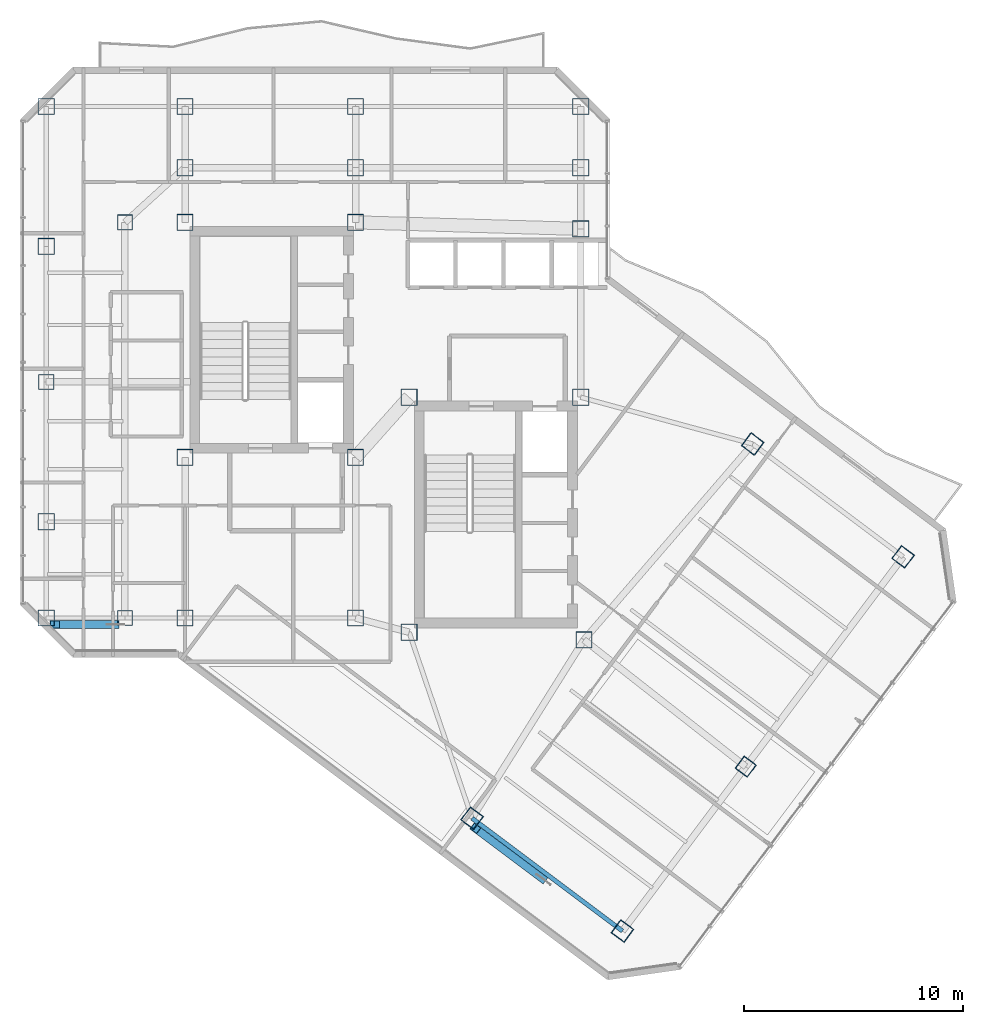
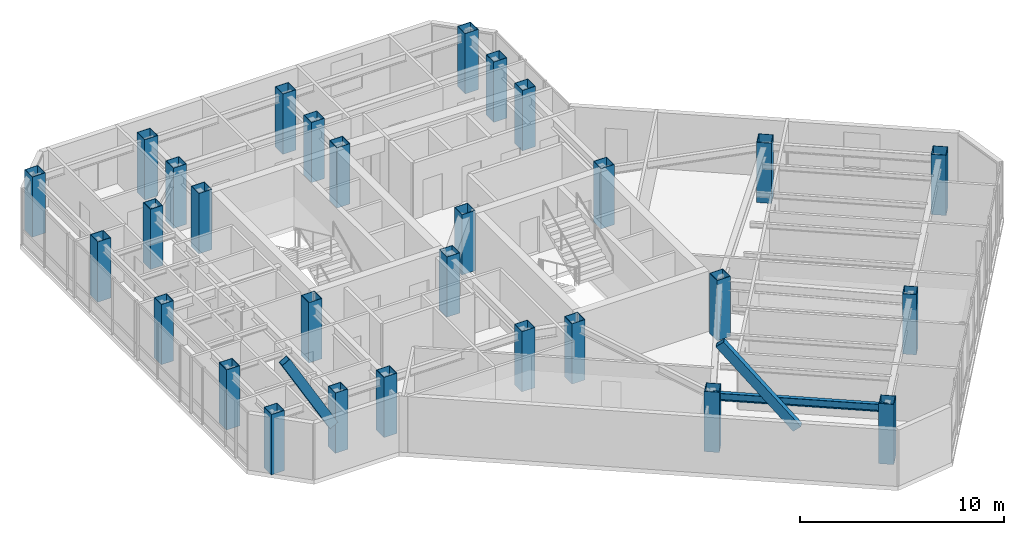
# One storey, part 1 of 26: 29 columns, 2 members, 1 beam.
"""IFC4 building model written with IfcOpenShell, lengths in metres."""

from ifc_helpers import new_model, si_unit, direction, frame, origin, origin_2d, place, context, subcontext, project, spatial, hollow_rectangle, i_section, extrude, material, material_profile, profile_set, type_object, element, save


model = new_model("IFC4")

# Units and contexts
model_context = context("Model", 3, precision=1e-05, world=origin(), true_north=direction((0.0, 1.0)))
body_context = subcontext(model_context, "Body", "Model", "MODEL_VIEW")
ifc_project = project(units=[si_unit("LENGTHUNIT", "METRE"), si_unit("AREAUNIT", "SQUARE_METRE"), si_unit("VOLUMEUNIT", "CUBIC_METRE"), si_unit("PLANEANGLEUNIT", "RADIAN"), si_unit("MASSUNIT", "GRAM", prefix="KILO")], contexts=[model_context])

# Site, building, storey
site_placement = place(None, origin())
site = spatial("IfcSite", under=ifc_project, at=site_placement, CompositionType="ELEMENT")
building_placement = place(site_placement, origin())
building = spatial("IfcBuilding", under=site, at=building_placement, Name="Hatsunagi Terrace Concourse", CompositionType="ELEMENT")
storey_placement = place(building_placement, frame((0.0, 0.0, 195.14990234375)))
storey = spatial("IfcBuildingStorey", under=building, at=storey_placement, Name="L51", CompositionType="ELEMENT", Elevation=195.14990234375)

# Columns
ifc_material_1 = material(Name="Steel BCP325T", Category="steel")
ifc_material_profile_1 = material_profile(ifc_material_1, hollow_rectangle(XDim=0.699951171875, YDim=0.699951171875, WallThickness=0.028076171875, at=origin_2d()), Name="BCP-700x700x28")
ifc_profile_set_1 = profile_set([ifc_material_profile_1], Name="Steel BCP325T")
column_type_1 = type_object("IfcColumnType", Name="TowerBoxColumn_700x700x28", PredefinedType="COLUMN", material=ifc_profile_set_1)
for number, where, z_axis, x_axis, name in (
    (1, (22.800048828125, 25.199951171875, 0.0), (0.0, 0.0, 1.0), (1.0, 0.0, 0.0), "Column C-08 L51-CW1"),
    (2, (22.800048828125, 43.300048828125, 0.0), (0.0, 0.0, 1.0), (1.0, 0.0, 0.0), "Column C-08 L51-CW2"),
    (3, (19.199951171875, 36.0, 0.0), (0.0, 0.0, 1.0), (1.0, 0.0, 0.0), "Column C-08 L51-WT2"),
    (4, (51.199951171875, 18.39990234375, 0.0), (0.0, 0.0, 1.0), (0.799999996291, -0.600000004945, 0.0), "Column C-08 L51-SEM2"),
):
    element("IfcColumn", number, at=place(storey_placement, frame(where, z_axis=z_axis, x_axis=x_axis)), inside=storey, type_object=column_type_1, Name=name, PredefinedType="COLUMN", context=body_context, shape_type="SweptSolid", body=[
        extrude(hollow_rectangle(XDim=0.699951171875, YDim=0.699951171875, WallThickness=0.028076171875, at=origin_2d()), origin(), (0.0, 0.0, 1.0), 3.60009765625),
    ])
ifc_material_2 = material(Name="Steel BCP325T", Category="steel")
ifc_material_profile_2 = material_profile(ifc_material_2, hollow_rectangle(XDim=0.75, YDim=0.75, WallThickness=0.028076171875, at=origin_2d()), Name="BCP-750x750x28")
ifc_profile_set_2 = profile_set([ifc_material_profile_2], Name="Steel BCP325T")
column_type_2 = type_object("IfcColumnType", Name="TowerBoxColumn_750x750x28", PredefinedType="COLUMN", material=ifc_profile_set_2)
for number, where, z_axis, x_axis, name in (
    (5, (25.550048828125, 32.550048828125, 0.0), (0.0, 0.0, 1.0), (1.0, 0.0, 0.0), "Column C-07 L51-CASW"),
    (6, (33.35009765625, 32.550048828125, 0.0), (0.0, 0.0, 1.0), (1.0, 0.0, 0.0), "Column C-07 L51-CASE"),
    (7, (25.550048828125, 43.300048828125, 0.0), (0.0, 0.0, 1.0), (1.0, 0.0, 0.0), "Column C-07 L51-CANW"),
    (8, (33.35009765625, 43.300048828125, 0.0), (0.0, 0.0, 1.0), (1.0, 0.0, 0.0), "Column C-07 L51-CANE"),
    (9, (35.800048828125, 24.550048828125, 0.0), (0.0, 0.0, 1.0), (1.0, 0.0, 0.0), "Column C-07 L51-CBSW"),
    (10, (43.800048828125, 24.199951171875, 0.0), (0.0, 0.0, 1.0), (1.0, 0.0, 0.0), "Column C-07 L51-CBSE"),
    (11, (35.800048828125, 35.300048828125, 0.0), (0.0, 0.0, 1.0), (1.0, 0.0, 0.0), "Column C-07 L51-CBNW"),
    (12, (43.64990234375, 35.300048828125, 0.0), (0.0, 0.0, 1.0), (1.0, 0.0, 0.0), "Column C-07 L51-CBNE"),
    (13, (25.550048828125, 25.199951171875, 0.0), (0.0, 0.0, 1.0), (1.0, 0.0, 0.0), "Column C-07 L51-K1"),
    (14, (33.35009765625, 25.199951171875, 0.0), (0.0, 0.0, 1.0), (1.0, 0.0, 0.0), "Column C-07 L51-K2"),
    (15, (43.64990234375, 43.0, 0.0), (0.0, 0.0, 1.0), (1.0, 0.0, 0.0), "Column C-07 L51-K3"),
    (16, (25.550048828125, 45.800048828125, 0.0), (0.0, 0.0, 1.0), (1.0, 0.0, 0.0), "Column C-07 L51-CN1"),
    (17, (33.35009765625, 45.800048828125, 0.0), (0.0, 0.0, 1.0), (1.0, 0.0, 0.0), "Column C-07 L51-CN2"),
    (18, (43.64990234375, 45.800048828125, 0.0), (0.0, 0.0, 1.0), (1.0, 0.0, 0.0), "Column C-07 L51-CN3"),
    (19, (19.199951171875, 48.60009765625, 0.0), (0.0, 0.0, 1.0), (1.0, 0.0, 0.0), "Column C-07 L51-WN3"),
    (20, (25.550048828125, 48.60009765625, 0.0), (0.0, 0.0, 1.0), (1.0, 0.0, 0.0), "Column C-07 L51-WN4"),
    (21, (33.35009765625, 48.60009765625, 0.0), (0.0, 0.0, 1.0), (1.0, 0.0, 0.0), "Column C-07 L51-WN5"),
    (22, (43.64990234375, 48.60009765625, 0.0), (0.0, 0.0, 1.0), (1.0, 0.0, 0.0), "Column C-07 L51-WN6"),
    (23, (19.199951171875, 25.199951171875, 0.0), (0.0, 0.0, 1.0), (1.0, 0.0, 0.0), "Column C-07 L51-WS3"),
    (24, (19.199951171875, 29.60009765625, 0.0), (0.0, 0.0, 1.0), (1.0, 0.0, 0.0), "Column C-07 L51-WR1"),
    (25, (19.199951171875, 42.199951171875, 0.0), (0.0, 0.0, 1.0), (1.0, 0.0, 0.0), "Column C-07 L51-WR2"),
    (26, (38.679931640625, 16.0400390625, 0.0), (0.0, 0.0, 1.0), (0.799999996291, -0.600000004945, 0.0), "Column C-07 L51-SES1"),
    (27, (51.52001953125, 33.159912109375, 0.0), (0.0, 0.0, 1.0), (0.799999996291, -0.600000004945, 0.0), "Column C-07 L51-SEN1"),
    (28, (45.56005859375, 10.8798828125, 0.0), (0.0, 0.0, 1.0), (0.799999996291, -0.600000004945, 0.0), "Column C-07 L51-SES2"),
    (29, (58.39990234375, 28.0, 0.0), (0.0, 0.0, 1.0), (0.799999996291, -0.600000004945, 0.0), "Column C-07 L51-SEN2"),
):
    element("IfcColumn", number, at=place(storey_placement, frame(where, z_axis=z_axis, x_axis=x_axis)), inside=storey, type_object=column_type_2, Name=name, PredefinedType="COLUMN", context=body_context, shape_type="SweptSolid", body=[
        extrude(hollow_rectangle(XDim=0.75, YDim=0.75, WallThickness=0.028076171875, at=origin_2d()), origin(), (0.0, 0.0, 1.0), 3.60009765625),
    ])

# Beam
ifc_material_3 = material(Name="Steel SN490B", Category="steel")
ifc_material_profile_3 = material_profile(ifc_material_3, i_section(OverallWidth=0.199951171875, OverallDepth=0.449951171875, WebThickness=0.009033203125, FlangeThickness=0.013916015625, FilletRadius=0.01611328125, at=origin_2d()), Name="H-450x200x9x14")
ifc_profile_set_3 = profile_set([ifc_material_profile_3], Name="Steel SN490B")
beam_type = type_object("IfcBeamType", Name="PerimeterSpandrel_H_450x200", PredefinedType="SPANDREL", material=ifc_profile_set_3)
beam_placement = place(storey_placement, frame((38.679931640625, 16.0400390625, 3.125), z_axis=(0.799996593451, -0.600004542038, 0.0), x_axis=(0.600004542038, 0.799996593451, 0.0)))
element("IfcBeam", 30, at=beam_placement, inside=storey, type_object=beam_type, Name="Beam SP-02 BM-L51-SE-SW2", PredefinedType="SPANDREL", context=body_context, shape_type="SweptSolid", body=[
    extrude(i_section(OverallWidth=0.199951171875, OverallDepth=0.449951171875, WebThickness=0.009033203125, FlangeThickness=0.013916015625, FilletRadius=0.01611328125, at=origin_2d()), origin(), (0.0, 0.0, 1.0), 8.60009765625),
])

# Members
ifc_material_4 = material(Name="Steel SN490B", Category="steel")
ifc_material_profile_4 = material_profile(ifc_material_4, hollow_rectangle(XDim=0.35009765625, YDim=0.5, WallThickness=0.02197265625, at=origin_2d()), Name="RHS-500x350x22")
ifc_profile_set_4 = profile_set([ifc_material_profile_4], Name="Steel SN490B")
member_type = type_object("IfcMemberType", Name="PerimeterXBrace_Upper_RHS_500x350x22", PredefinedType="BRACE", material=ifc_profile_set_4)
member_1_placement = place(storey_placement, frame((19.60009765625, 24.89990234375, 6.510009765625), z_axis=(0.497691064471, 0.0, -0.867354370684), x_axis=(0.0, 1.0, 0.0)))
element("IfcMember", 31, at=member_1_placement, inside=storey, type_object=member_type, Name="Perimeter X-Brace Split Upper XB-03 XB-L50-W1B1", PredefinedType="BRACE", context=body_context, shape_type="SweptSolid", body=[
    extrude(hollow_rectangle(XDim=0.35009765625, YDim=0.5, WallThickness=0.02197265625, at=origin_2d()), origin(), (0.0, 0.0, 1.0), 5.434814453125),
])
member_2_placement = place(storey_placement, frame((38.83203125, 15.575927734375, 6.510009765625), z_axis=(0.502335259169, -0.376640868697, -0.778332154946), x_axis=(0.599887279023, 0.800084528326, 0.0)))
element("IfcMember", 32, at=member_2_placement, inside=storey, type_object=member_type, Name="Perimeter X-Brace Split Upper XB-03 XB-L50-SEB1", PredefinedType="BRACE", context=body_context, shape_type="SweptSolid", body=[
    extrude(hollow_rectangle(XDim=0.35009765625, YDim=0.5, WallThickness=0.02197265625, at=origin_2d()), origin(), (0.0, 0.0, 1.0), 6.07177734375),
])

save(model, "model.ifc")
